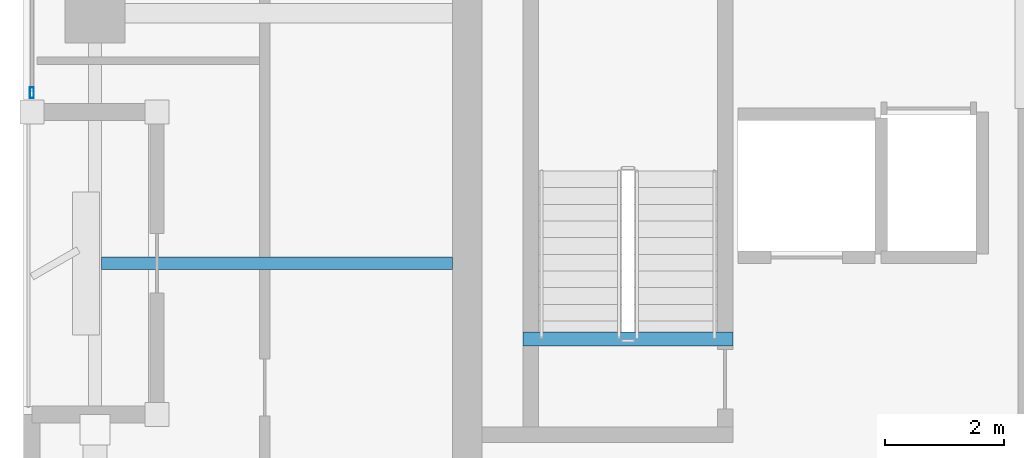
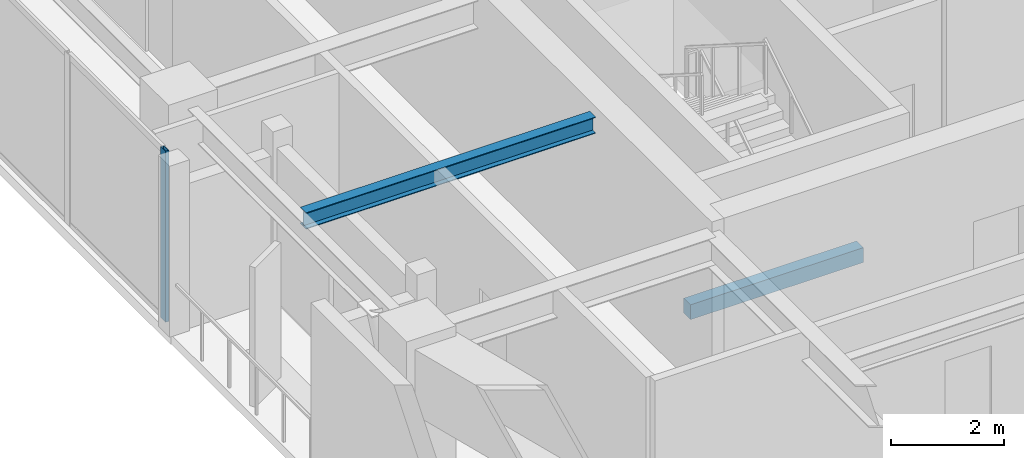
# One storey, part 2 of 15: 2 beams, 1 member, 1 element without a shape of its own.
"""IFC4 building model written with IfcOpenShell, lengths in metres."""

from ifc_helpers import new_model, si_unit, direction, frame, origin, origin_2d, place, context, subcontext, project, spatial, rectangle, hollow_rectangle, i_section, extrude, material, layer, layer_set, material_profile, profile_set, type_object, element, aggregate, save


model = new_model("IFC4")

# Units and contexts
model_context = context("Model", 3, precision=1e-05, world=origin(), true_north=direction((0.0, 1.0)))
body_context = subcontext(model_context, "Body", "Model", "MODEL_VIEW")
ifc_project = project(units=[si_unit("LENGTHUNIT", "METRE"), si_unit("AREAUNIT", "SQUARE_METRE"), si_unit("VOLUMEUNIT", "CUBIC_METRE"), si_unit("PLANEANGLEUNIT", "RADIAN"), si_unit("MASSUNIT", "GRAM", prefix="KILO")], contexts=[model_context])

# Site, building, storey
site_placement = place(None, origin())
site = spatial("IfcSite", under=ifc_project, at=site_placement, CompositionType="ELEMENT")
building_placement = place(site_placement, origin())
building = spatial("IfcBuilding", under=site, at=building_placement, Name="Kiyonajd Concourse Tower", CompositionType="ELEMENT")
storey_placement = place(building_placement, frame((0.0, 0.0, 286.199951171875)))
storey = spatial("IfcBuildingStorey", under=building, at=storey_placement, Name="L72", CompositionType="ELEMENT", Elevation=286.199951171875)

# Beams
ifc_material_1 = material(Name="Steel ASTM A992 Grade 50", Category="steel")
ifc_material_profile_1 = material_profile(ifc_material_1, i_section(OverallWidth=0.205078125, OverallDepth=0.35400390625, WebThickness=0.009521484375, FlangeThickness=0.016845703125, at=origin_2d()), Name="W360X79")
ifc_profile_set_1 = profile_set([ifc_material_profile_1], Name="Steel ASTM A992 Grade 50")
beam_type_1 = type_object("IfcBeamType", Name="BM-JST-360", PredefinedType="JOIST", material=ifc_profile_set_1)
beam_1_placement = place(storey_placement, frame((26.505615234375, 31.800048828125, 3.5029296875), z_axis=(1.0, 0.0, 0.0), x_axis=(0.0, 1.0, 0.0)))
element("IfcBeam", 1, at=beam_1_placement, inside=storey, type_object=beam_type_1, Name="L72 West Secondary Floor Joist", PredefinedType="JOIST", context=body_context, shape_type="SweptSolid", body=[
    extrude(i_section(OverallWidth=0.205078125, OverallDepth=0.35400390625, WebThickness=0.009521484375, FlangeThickness=0.016845703125, at=origin_2d()), origin(), (0.0, 0.0, 1.0), 5.894287109375),
])
ifc_material_2 = material(Name="Concrete C50/60", Category="concrete")
ifc_material_profile_2 = material_profile(ifc_material_2, rectangle(XDim=0.239990234375, YDim=0.320068359375, at=origin_2d()), Name="RCBM-240x320")
ifc_profile_set_2 = profile_set([ifc_material_profile_2], Name="Concrete C50/60")
beam_type_2 = type_object("IfcBeamType", Name="BM-LNT-250", PredefinedType="LINTEL", material=ifc_profile_set_2)
beam_2_placement = place(storey_placement, frame((33.590087890625, 30.530029296875, -0.159912109375), z_axis=(1.0, 0.0, 0.0), x_axis=(0.0, 1.0, 0.0)))
element("IfcBeam", 2, at=beam_2_placement, inside=storey, type_object=beam_type_2, Name="L72 Stair ST1 Threshold Support Beam", PredefinedType="LINTEL", context=body_context, shape_type="SweptSolid", body=[
    extrude(rectangle(XDim=0.239990234375, YDim=0.320068359375, at=origin_2d()), origin(), (0.0, 0.0, 1.0), 3.52001953125),
])

# Curtain wall, member
ifc_material_3 = material(Name="Thermally Broken Anodised Aluminium", Category="aluminium")
ifc_layer = layer(ifc_material_3, 0.179931640625)
ifc_layer_set = layer_set([ifc_layer], Name="Thermally Broken Anodised Aluminium")
curtain_wall_type = type_object("IfcCurtainWallType", Name="CW-SYS-04", PredefinedType="NOTDEFINED", material=ifc_layer_set)
curtain_wall_placement = place(storey_placement, origin())
curtain_wall = element("IfcCurtainWall", 3, at=curtain_wall_placement, inside=storey, type_object=curtain_wall_type, Name="L72 Unitised Curtain Wall CW4", PredefinedType="NOTDEFINED")
ifc_material_profile_3 = material_profile(ifc_material_3, hollow_rectangle(XDim=0.06494140625, YDim=0.179931640625, WallThickness=0.00390625, at=origin_2d()), Name="MULL-65x180")
ifc_profile_set_3 = profile_set([ifc_material_profile_3], Name="Thermally Broken Anodised Aluminium")
member_type = type_object("IfcMemberType", Name="MB-CW-MULL1", PredefinedType="MULLION", material=ifc_profile_set_3)
member_placement = place(storey_placement, frame((25.340087890625, 34.66259765625, 0.0), z_axis=(0.0, 0.0, 1.0), x_axis=(-1.0, 0.0, 0.0)))
member = element("IfcMember", 4, at=member_placement, type_object=member_type, Name="CW4 mullion 1", PredefinedType="MULLION", context=body_context, shape_type="SweptSolid", body=[
    extrude(hollow_rectangle(XDim=0.06494140625, YDim=0.179931640625, WallThickness=0.00390625, at=origin_2d()), origin(), (0.0, 0.0, 1.0), 3.679931640625),
])
aggregate(curtain_wall, [member])

save(model, "model.ifc")
